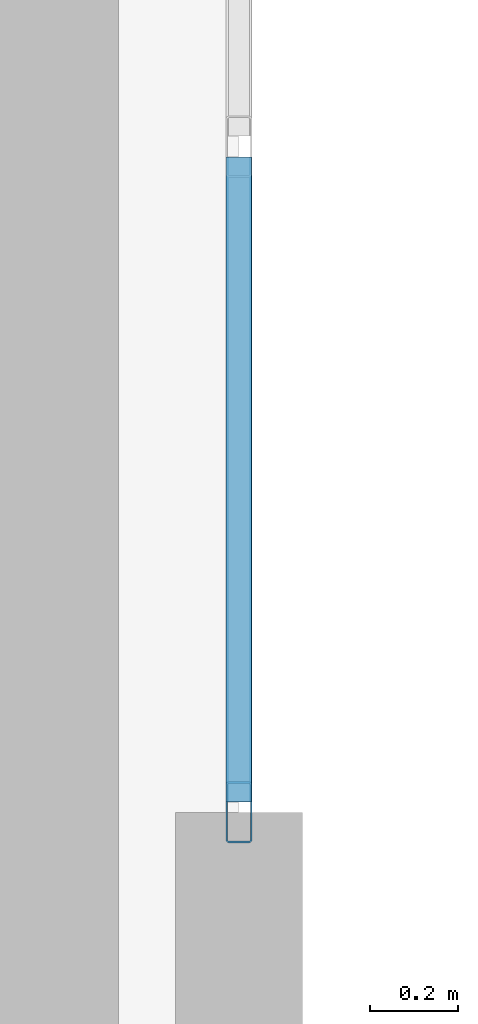
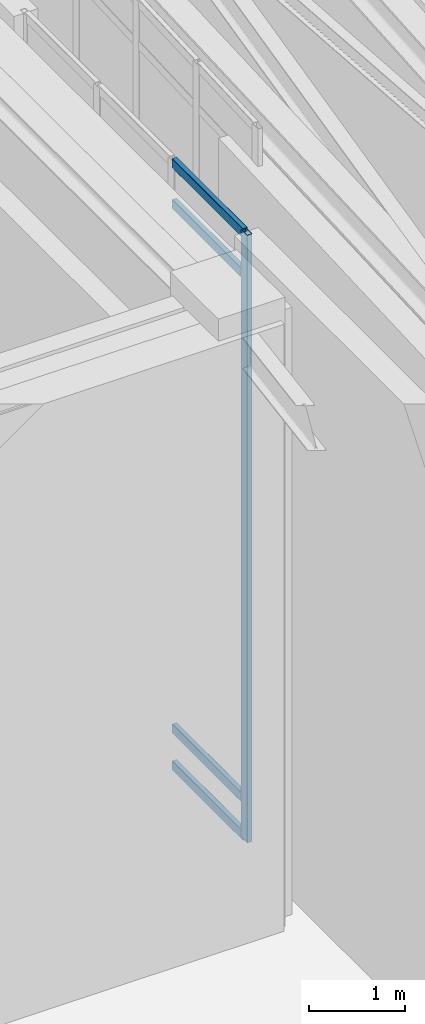
# One storey, part 2 of 12: 5 members, 1 element without a shape of its own.
"""IFC4 building model written with IfcOpenShell, lengths in metres."""

from ifc_helpers import new_model, si_unit, direction, frame, origin, origin_2d, place, context, subcontext, project, spatial, hollow_rectangle, extrude, material, layer, layer_set, material_profile, profile_set, type_object, element, aggregate, save


model = new_model("IFC4")

# Units and contexts
model_context = context("Model", 3, precision=1e-05, world=origin(), true_north=direction((0.0, 1.0)))
body_context = subcontext(model_context, "Body", "Model", "MODEL_VIEW")
ifc_project = project(units=[si_unit("LENGTHUNIT", "METRE"), si_unit("AREAUNIT", "SQUARE_METRE"), si_unit("VOLUMEUNIT", "CUBIC_METRE"), si_unit("PLANEANGLEUNIT", "RADIAN"), si_unit("MASSUNIT", "GRAM", prefix="KILO")], contexts=[model_context])

# Site, building, storey
site_placement = place(None, origin())
site = spatial("IfcSite", under=ifc_project, at=site_placement, CompositionType="ELEMENT")
building_placement = place(site_placement, origin())
building = spatial("IfcBuilding", under=site, at=building_placement, Name="Ndelora Gate Hotel", CompositionType="ELEMENT")
storey_placement = place(building_placement, frame((0.0, 0.0, 303.60009765625)))
storey = spatial("IfcBuildingStorey", under=building, at=storey_placement, Name="RF1", CompositionType="ELEMENT", Elevation=303.60009765625)

# Curtain wall, members
ifc_material_1 = material(Name="Bronze Anodised Unitised Aluminium and Low-E Glass", Category="aluminium")
ifc_layer = layer(ifc_material_1, 0.199951171875)
ifc_layer_set = layer_set([ifc_layer], Name="Bronze Anodised Unitised Aluminium and Low-E Glass")
curtain_wall_type = type_object("IfcCurtainWallType", Name="CW-SYS-8", PredefinedType="NOTDEFINED", material=ifc_layer_set)
curtain_wall_placement = place(storey_placement, origin())
curtain_wall = element("IfcCurtainWall", 1, at=curtain_wall_placement, inside=storey, type_object=curtain_wall_type, Name="RF1 Split-Crown West Cleft Lantern Curtain Wall CW8-1", PredefinedType="NOTDEFINED")
ifc_material_2 = material(Name="Bronze Anodised Aluminium 6063-T6", Category="aluminium")
ifc_material_profile_1 = material_profile(ifc_material_2, hollow_rectangle(XDim=0.06005859375, YDim=0.139892578125, WallThickness=0.00390625, InnerFilletRadius=0.00390625, OuterFilletRadius=0.008056640625, at=origin_2d()), Name="ALU 140x60x4")
ifc_profile_set_1 = profile_set([ifc_material_profile_1], Name="Bronze Anodised Aluminium 6063-T6")
member_type_1 = type_object("IfcMemberType", Name="MB-CW-MUL140", PredefinedType="MULLION", material=ifc_profile_set_1)
member_1_placement = place(storey_placement, frame((8.85009765625, -5.52001953125, -0.004150390625), z_axis=(0.0, 0.0, 1.0), x_axis=(-1.0, 0.0, 0.0)))
member_1 = element("IfcMember", 2, at=member_1_placement, type_object=member_type_1, Name="CW8 mullion 1", PredefinedType="MULLION", context=body_context, shape_type="SweptSolid", body=[
    extrude(hollow_rectangle(XDim=0.06005859375, YDim=0.139892578125, WallThickness=0.00390625, InnerFilletRadius=0.00390625, OuterFilletRadius=0.008056640625, at=origin_2d()), origin(), (0.0, 0.0, 1.0), 7.72802734375),
])
ifc_material_profile_2 = material_profile(ifc_material_2, hollow_rectangle(XDim=0.06005859375, YDim=0.1201171875, WallThickness=0.00390625, InnerFilletRadius=0.00390625, OuterFilletRadius=0.008056640625, at=origin_2d()), Name="ALU 120x60x4")
ifc_profile_set_2 = profile_set([ifc_material_profile_2], Name="Bronze Anodised Aluminium 6063-T6")
member_type_2 = type_object("IfcMemberType", Name="MB-CW-TRN120", PredefinedType="USERDEFINED", material=ifc_profile_set_2)
member_2_placement = place(storey_placement, frame((8.85009765625, -5.49609375, 0.02978515625), z_axis=(0.0, 1.0, 0.0), x_axis=(-1.0, 0.0, 0.0)))
member_2 = element("IfcMember", 3, at=member_2_placement, type_object=member_type_2, Name="CW8 transom 1.1", ObjectType="TRANSOM", PredefinedType="USERDEFINED", context=body_context, shape_type="SweptSolid", body=[
    extrude(hollow_rectangle(XDim=0.06005859375, YDim=0.1201171875, WallThickness=0.00390625, InnerFilletRadius=0.00390625, OuterFilletRadius=0.008056640625, at=origin_2d()), origin(), (0.0, 0.0, 1.0), 1.47216796875),
])
member_3_placement = place(storey_placement, frame((8.85009765625, -5.49609375, 0.5), z_axis=(0.0, 1.0, 0.0), x_axis=(-1.0, 0.0, 0.0)))
member_3 = element("IfcMember", 4, at=member_3_placement, type_object=member_type_2, Name="CW8 transom 1.2", ObjectType="TRANSOM", PredefinedType="USERDEFINED", context=body_context, shape_type="SweptSolid", body=[
    extrude(hollow_rectangle(XDim=0.06005859375, YDim=0.1201171875, WallThickness=0.00390625, InnerFilletRadius=0.00390625, OuterFilletRadius=0.008056640625, at=origin_2d()), origin(), (0.0, 0.0, 1.0), 1.47216796875),
])
member_4_placement = place(storey_placement, frame((8.85009765625, -5.49609375, 7.169921875), z_axis=(0.0, 1.0, 0.0), x_axis=(-1.0, 0.0, 0.0)))
member_4 = element("IfcMember", 5, at=member_4_placement, type_object=member_type_2, Name="CW8 transom 1.3", ObjectType="TRANSOM", PredefinedType="USERDEFINED", context=body_context, shape_type="SweptSolid", body=[
    extrude(hollow_rectangle(XDim=0.06005859375, YDim=0.1201171875, WallThickness=0.00390625, InnerFilletRadius=0.00390625, OuterFilletRadius=0.008056640625, at=origin_2d()), origin(), (0.0, 0.0, 1.0), 1.47216796875),
])
member_5_placement = place(storey_placement, frame((8.85009765625, -5.49609375, 7.68994140625), z_axis=(0.0, 1.0, 0.0), x_axis=(-1.0, 0.0, 0.0)))
member_5 = element("IfcMember", 6, at=member_5_placement, type_object=member_type_2, Name="CW8 transom 1.4", ObjectType="TRANSOM", PredefinedType="USERDEFINED", context=body_context, shape_type="SweptSolid", body=[
    extrude(hollow_rectangle(XDim=0.06005859375, YDim=0.1201171875, WallThickness=0.00390625, InnerFilletRadius=0.00390625, OuterFilletRadius=0.008056640625, at=origin_2d()), origin(), (0.0, 0.0, 1.0), 1.47216796875),
])
aggregate(curtain_wall, [member_1, member_2, member_3, member_4, member_5])

save(model, "model.ifc")
